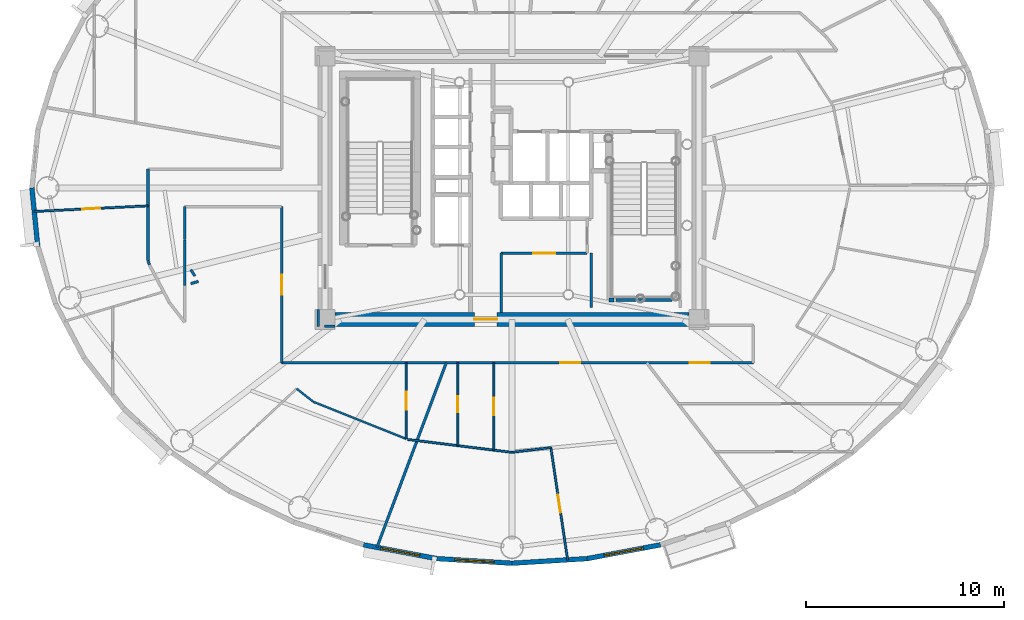
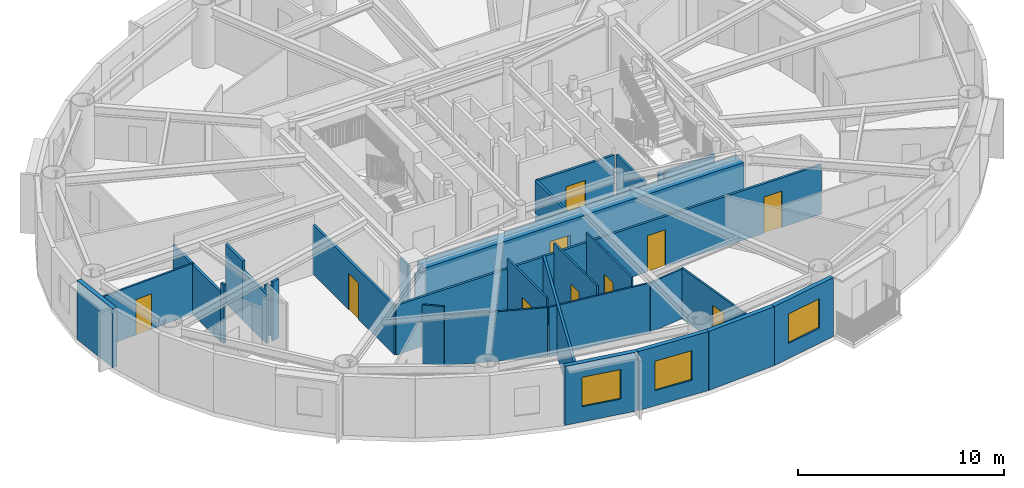
# One storey, part 6 of 18: 31 walls, 10 doors, 3 windows, 13 openings.
"""IFC4 building model written with IfcOpenShell, lengths in metres."""

from ifc_helpers import new_model, si_unit, direction, frame, frame_2d, origin, origin_2d, place, context, subcontext, project, spatial, rectangle, extrude, source, transform, mapped, material, layer, layer_set, type_object, element, fill, save


model = new_model("IFC4")

# Units and contexts
model_context = context("Model", 3, precision=1e-05, world=origin(), true_north=direction((0.0, 1.0)))
body_context = subcontext(model_context, "Body", "Model", "MODEL_VIEW")
ifc_project = project(units=[si_unit("LENGTHUNIT", "METRE"), si_unit("AREAUNIT", "SQUARE_METRE"), si_unit("VOLUMEUNIT", "CUBIC_METRE"), si_unit("PLANEANGLEUNIT", "RADIAN"), si_unit("MASSUNIT", "GRAM", prefix="KILO")], contexts=[model_context])

# Site, building, storey
site_placement = place(None, origin())
site = spatial("IfcSite", under=ifc_project, at=site_placement, CompositionType="ELEMENT")
building_placement = place(site_placement, origin())
building = spatial("IfcBuilding", under=site, at=building_placement, Name="Linh Dai School and Residence Tower", CompositionType="ELEMENT")
storey_placement = place(building_placement, frame((0.0, 0.0, 225.300048828125)))
storey = spatial("IfcBuildingStorey", under=building, at=storey_placement, Name="L55", CompositionType="ELEMENT", Elevation=225.300048828125)

# Wall
ifc_material_1 = material(Name="Precast Concrete B45 (C35/45)", Category="concrete")
ifc_layer_1 = layer(ifc_material_1, 0.239990234375)
ifc_layer_set_1 = layer_set([ifc_layer_1], Name="Precast Concrete B45 (C35/45)")
wall_type_1 = type_object("IfcWallType", Name="EW-TC-240", PredefinedType="SOLIDWALL", material=ifc_layer_set_1)
wall_1_placement = place(storey_placement, frame((12.02294921875, 24.0361328125, 0.0), z_axis=(0.0, 0.0, 1.0), x_axis=(-0.099990595253, 0.994988382274, 0.0)))
element("IfcWall", 1, at=wall_1_placement, inside=storey, type_object=wall_type_1, Name="L55 Terracotta Exterior Wall 21", PredefinedType="SOLIDWALL", context=body_context, shape_type="SweptSolid", body=[
    extrude(rectangle(XDim=2.978759765625, YDim=0.239990234375, at=frame_2d((1.4892578125, 0.0))), origin(), (0.0, 0.0, 1.0), 3.5),
])

# Wall, opening, window
wall_2_placement = place(storey_placement, frame((32.198486328125, 8.254150390625, 0.0), z_axis=(0.0, 0.0, 1.0), x_axis=(-0.982784898575, 0.184753465822, 0.0)))
wall_2 = element("IfcWall", 2, at=wall_2_placement, inside=storey, type_object=wall_type_1, Name="L55 Terracotta Exterior Wall 29", PredefinedType="SOLIDWALL", context=body_context, shape_type="SweptSolid", body=[
    extrude(rectangle(XDim=3.772705078125, YDim=0.239990234375, at=frame_2d((1.88623046875, 0.0))), origin(), (0.0, 0.0, 1.0), 3.5),
])
opening_1_placement = place(wall_2_placement, frame((0.88623046875, 0.0, 0.89990234375)))
opening_1 = element("IfcOpeningElement", 3, at=opening_1_placement, cuts=wall_2, Name="Opening W1", PredefinedType="OPENING", context=body_context, shape_type="SweptSolid", body=[
    extrude(rectangle(XDim=2.0, YDim=1.75, at=origin_2d()), frame((1.0, 0.1298828125, 0.875), z_axis=(0.0, -1.0, 0.0), x_axis=(1.0, 0.0, 0.0)), (0.0, 0.0, 1.0), 0.260009765625),
])
ifc_material_2 = material(Name="Double Low-E Insulated Glazing", Category="glass")
window_type = type_object("IfcWindowType", Name="WN-RES-2000x1750", PartitioningType="DOUBLE_PANEL_VERTICAL", PredefinedType="WINDOW", material=ifc_material_2)
shared_shape_1 = source(origin(), body_context, "Body", "SweptSolid", [
    extrude(rectangle(XDim=2.0, YDim=1.75, at=origin_2d()), frame((1.0, 0.030029296875, 0.875), z_axis=(0.0, -1.0, 0.0), x_axis=(1.0, 0.0, 0.0)), (0.0, 0.0, 1.0), 0.06005859375),
])
window_1_placement = place(opening_1_placement, origin())
window_1 = element("IfcWindow", 4, at=window_1_placement, inside=storey, type_object=window_type, Name="L55 Exterior Window 29.1", OverallHeight=1.75, OverallWidth=2.0, PartitioningType="DOUBLE_PANEL_VERTICAL", PredefinedType="WINDOW", context=body_context, shape_type="MappedRepresentation", body=[
    mapped(shared_shape_1, transform((0.0, 0.0, 0.0), x_axis=(1.0, 0.0, 0.0), y_axis=(0.0, 1.0, 0.0), z_axis=(0.0, 0.0, 1.0), scale=1.0)),
])
fill(opening_1, window_1)

wall_3_placement = place(storey_placement, frame((36.0, 8.02001953125, 0.0), z_axis=(0.0, 0.0, 1.0), x_axis=(-0.998108785312, 0.06147237333, 0.0)))
wall_3 = element("IfcWall", 5, at=wall_3_placement, inside=storey, type_object=wall_type_1, Name="L55 Terracotta Exterior Wall 30", PredefinedType="SOLIDWALL", context=body_context, shape_type="SweptSolid", body=[
    extrude(rectangle(XDim=3.808837890625, YDim=0.239990234375, at=frame_2d((1.904296875, 0.0))), origin(), (0.0, 0.0, 1.0), 3.5),
])
opening_2_placement = place(wall_3_placement, frame((0.904296875, 0.0, 0.89990234375)))
opening_2 = element("IfcOpeningElement", 6, at=opening_2_placement, cuts=wall_3, Name="Opening W1", PredefinedType="OPENING", context=body_context, shape_type="SweptSolid", body=[
    extrude(rectangle(XDim=2.0, YDim=1.75, at=origin_2d()), frame((1.0, 0.1298828125, 0.875), z_axis=(0.0, -1.0, 0.0), x_axis=(1.0, 0.0, 0.0)), (0.0, 0.0, 1.0), 0.260009765625),
])
window_2_placement = place(opening_2_placement, origin())
window_2 = element("IfcWindow", 7, at=window_2_placement, inside=storey, type_object=window_type, Name="L55 Exterior Window 30.1", OverallHeight=1.75, OverallWidth=2.0, PartitioningType="DOUBLE_PANEL_VERTICAL", PredefinedType="WINDOW", context=body_context, shape_type="MappedRepresentation", body=[
    mapped(shared_shape_1, transform((0.0, 0.0, 0.0), x_axis=(1.0, 0.0, 0.0), y_axis=(0.0, 1.0, 0.0), z_axis=(0.0, 0.0, 1.0), scale=1.0)),
])
fill(opening_2, window_2)

# Wall
wall_4_placement = place(storey_placement, frame((39.801513671875, 8.254150390625, 0.0), z_axis=(0.0, 0.0, 1.0), x_axis=(-0.998108785312, -0.06147237333, 0.0)))
element("IfcWall", 8, at=wall_4_placement, inside=storey, type_object=wall_type_1, Name="L55 Terracotta Exterior Wall 31", PredefinedType="SOLIDWALL", context=body_context, shape_type="SweptSolid", body=[
    extrude(rectangle(XDim=3.808837890625, YDim=0.239990234375, at=frame_2d((1.904296875, 0.0))), origin(), (0.0, 0.0, 1.0), 3.5),
])

# Wall, opening, window
wall_5_placement = place(storey_placement, frame((43.50927734375, 8.951171875, 0.0), z_axis=(0.0, 0.0, 1.0), x_axis=(-0.982784898575, -0.184753465822, 0.0)))
wall_5 = element("IfcWall", 9, at=wall_5_placement, inside=storey, type_object=wall_type_1, Name="L55 Terracotta Exterior Wall 32", PredefinedType="SOLIDWALL", context=body_context, shape_type="SweptSolid", body=[
    extrude(rectangle(XDim=3.772705078125, YDim=0.239990234375, at=frame_2d((1.88623046875, 0.0))), origin(), (0.0, 0.0, 1.0), 3.5),
])
opening_3_placement = place(wall_5_placement, frame((0.88623046875, 0.0, 0.89990234375)))
opening_3 = element("IfcOpeningElement", 10, at=opening_3_placement, cuts=wall_5, Name="Opening W1", PredefinedType="OPENING", context=body_context, shape_type="SweptSolid", body=[
    extrude(rectangle(XDim=2.0, YDim=1.75, at=origin_2d()), frame((1.0, 0.1298828125, 0.875), z_axis=(0.0, -1.0, 0.0), x_axis=(1.0, 0.0, 0.0)), (0.0, 0.0, 1.0), 0.260009765625),
])
window_3_placement = place(opening_3_placement, origin())
window_3 = element("IfcWindow", 11, at=window_3_placement, inside=storey, type_object=window_type, Name="L55 Exterior Window 32.1", OverallHeight=1.75, OverallWidth=2.0, PartitioningType="DOUBLE_PANEL_VERTICAL", PredefinedType="WINDOW", context=body_context, shape_type="MappedRepresentation", body=[
    mapped(shared_shape_1, transform((0.0, 0.0, 0.0), x_axis=(1.0, 0.0, 0.0), y_axis=(0.0, 1.0, 0.0), z_axis=(0.0, 0.0, 1.0), scale=1.0)),
])
fill(opening_3, window_3)

# Walls
ifc_material_3 = material(Name="Autoclaved Aerated Concrete Blockwork", Category="masonry")
ifc_layer_2 = layer(ifc_material_3, 0.135009765625)
ifc_layer_set_2 = layer_set([ifc_layer_2], Name="Autoclaved Aerated Concrete Blockwork")
wall_type_2 = type_object("IfcWallType", Name="IW-CORR-135-EI90", PredefinedType="PARTITIONING", material=ifc_layer_set_2)
wall_6_placement = place(storey_placement, frame((17.60009765625, 23.327880859375, 0.0), z_axis=(0.0, 0.0, 1.0), x_axis=(0.0, 1.0, 0.0)))
element("IfcWall", 12, at=wall_6_placement, inside=storey, type_object=wall_type_2, Name="L55 Interior Partition Wall 007", PredefinedType="PARTITIONING", context=body_context, shape_type="SweptSolid", body=[
    extrude(rectangle(XDim=4.6220703125, YDim=0.135009765625, at=frame_2d((2.31103515625, 0.0))), origin(), (0.0, 0.0, 1.0), 2.93505859375),
])
wall_7_placement = place(storey_placement, frame((17.60009765625, 23.327880859375, 0.0), z_axis=(0.0, 0.0, 1.0), x_axis=(0.292875000845, -0.956150738053, 0.0)))
element("IfcWall", 13, at=wall_7_placement, inside=storey, type_object=wall_type_2, Name="L55 Interior Partition Wall 008", PredefinedType="PARTITIONING", context=body_context, shape_type="SweptSolid", body=[
    extrude(rectangle(XDim=0.226806640625, YDim=0.135009765625, at=frame_2d((0.11328125, 0.0))), origin(), (0.0, 0.0, 1.0), 3.5),
])
wall_8_placement = place(storey_placement, frame((19.449951171875, 24.3798828125, 0.0), z_axis=(0.0, 0.0, 1.0), x_axis=(0.0, 1.0, 0.0)))
element("IfcWall", 14, at=wall_8_placement, inside=storey, type_object=wall_type_2, Name="L55 Interior Partition Wall 014", PredefinedType="PARTITIONING", context=body_context, shape_type="SweptSolid", body=[
    extrude(rectangle(XDim=1.670166015625, YDim=0.135009765625, at=frame_2d((0.8349609375, 0.0))), origin(), (0.0, 0.0, 1.0), 3.5),
])

# Wall, opening, door
wall_9_placement = place(storey_placement, frame((24.35009765625, 18.14990234375, 0.0), z_axis=(0.0, 0.0, 1.0), x_axis=(0.0, 1.0, 0.0)))
wall_9 = element("IfcWall", 15, at=wall_9_placement, inside=storey, type_object=wall_type_2, Name="L55 Interior Partition Wall 018", PredefinedType="PARTITIONING", context=body_context, shape_type="SweptSolid", body=[
    extrude(rectangle(XDim=7.900146484375, YDim=0.135009765625, at=frame_2d((3.9501953125, 0.0))), origin(), (0.0, 0.0, 1.0), 2.93505859375),
])
opening_4_placement = place(wall_9_placement, frame((3.449951171875, 0.0, 0.0)))
opening_4 = element("IfcOpeningElement", 16, at=opening_4_placement, cuts=wall_9, Name="Opening D03", PredefinedType="OPENING", context=body_context, shape_type="SweptSolid", body=[
    extrude(rectangle(XDim=1.0, YDim=2.14990234375, at=origin_2d()), frame((0.5, 0.07763671875, 1.074951171875), z_axis=(0.0, -1.0, 0.0), x_axis=(1.0, 0.0, 0.0)), (0.0, 0.0, 1.0), 0.155029296875),
])
ifc_material_4 = material(Name="Fire-Rated Solid Timber Entrance Door", Category="wood")
door_type_1 = type_object("IfcDoorType", Name="DR-FLAT-1000x2150-FD60S", OperationType="NOTDEFINED", PredefinedType="DOOR", material=ifc_material_4)
shared_shape_2 = source(origin(), body_context, "Body", "SweptSolid", [
    extrude(rectangle(XDim=1.0, YDim=2.14990234375, at=origin_2d()), frame((0.5, 0.02490234375, 1.074951171875), z_axis=(0.0, -1.0, 0.0), x_axis=(1.0, 0.0, 0.0)), (0.0, 0.0, 1.0), 0.050048828125),
])
door_1_placement = place(opening_4_placement, origin())
door_1 = element("IfcDoor", 17, at=door_1_placement, inside=storey, type_object=door_type_1, Name="L55 U5502 Apartment Entrance Door", OperationType="SINGLE_SWING_RIGHT", OverallHeight=2.14990234375, OverallWidth=1.0, PredefinedType="DOOR", context=body_context, shape_type="MappedRepresentation", body=[
    mapped(shared_shape_2, transform((0.0, 0.0, 0.0), x_axis=(1.0, 0.0, 0.0), y_axis=(0.0, 1.0, 0.0), z_axis=(0.0, 0.0, 1.0), scale=1.0)),
])
fill(opening_4, door_1)

# Wall, openings, doors
wall_10_placement = place(storey_placement, frame((24.35009765625, 18.14990234375, 0.0), z_axis=(0.0, 0.0, 1.0), x_axis=(1.0, 0.0, 0.0)))
wall_10 = element("IfcWall", 18, at=wall_10_placement, inside=storey, type_object=wall_type_2, Name="L55 Interior Partition Wall 019", PredefinedType="PARTITIONING", context=body_context, shape_type="SweptSolid", body=[
    extrude(rectangle(XDim=23.849853515625, YDim=0.135009765625, at=frame_2d((11.9248046875, 0.0))), origin(), (0.0, 0.0, 1.0), 2.93505859375),
])
opening_5_placement = place(wall_10_placement, frame((14.09912109375, 0.0, 0.0)))
opening_5 = element("IfcOpeningElement", 19, at=opening_5_placement, cuts=wall_10, Name="Opening D03", PredefinedType="OPENING", context=body_context, shape_type="SweptSolid", body=[
    extrude(rectangle(XDim=1.0, YDim=2.14990234375, at=origin_2d()), frame((0.5, 0.07763671875, 1.074951171875), z_axis=(0.0, -1.0, 0.0), x_axis=(1.0, 0.0, 0.0)), (0.0, 0.0, 1.0), 0.155029296875),
])
opening_6_placement = place(wall_10_placement, frame((20.638427734375, 0.0, 0.0)))
opening_6 = element("IfcOpeningElement", 20, at=opening_6_placement, cuts=wall_10, Name="Opening D03", PredefinedType="OPENING", context=body_context, shape_type="SweptSolid", body=[
    extrude(rectangle(XDim=1.0, YDim=2.14990234375, at=origin_2d()), frame((0.5, 0.07763671875, 1.074951171875), z_axis=(0.0, -1.0, 0.0), x_axis=(1.0, 0.0, 0.0)), (0.0, 0.0, 1.0), 0.155029296875),
])
door_2_placement = place(opening_5_placement, origin())
door_2 = element("IfcDoor", 21, at=door_2_placement, inside=storey, type_object=door_type_1, Name="L55 U5503 Apartment Entrance Door", OperationType="SINGLE_SWING_RIGHT", OverallHeight=2.14990234375, OverallWidth=1.0, PredefinedType="DOOR", context=body_context, shape_type="MappedRepresentation", body=[
    mapped(shared_shape_2, transform((0.0, 0.0, 0.0), x_axis=(1.0, 0.0, 0.0), y_axis=(0.0, 1.0, 0.0), z_axis=(0.0, 0.0, 1.0), scale=1.0)),
])
fill(opening_5, door_2)
door_3_placement = place(opening_6_placement, origin())
door_3 = element("IfcDoor", 22, at=door_3_placement, inside=storey, type_object=door_type_1, Name="L55 U5504 Apartment Entrance Door", OperationType="SINGLE_SWING_RIGHT", OverallHeight=2.14990234375, OverallWidth=1.0, PredefinedType="DOOR", context=body_context, shape_type="MappedRepresentation", body=[
    mapped(shared_shape_2, transform((0.0, 0.0, 0.0), x_axis=(1.0, 0.0, 0.0), y_axis=(0.0, 1.0, 0.0), z_axis=(0.0, 0.0, 1.0), scale=1.0)),
])
fill(opening_6, door_3)

# Walls
wall_11_placement = place(storey_placement, frame((29.16943359375, 8.818603515625, 0.0), z_axis=(0.0, 0.0, 1.0), x_axis=(0.351676288836, 0.936121673646, 0.0)))
element("IfcWall", 23, at=wall_11_placement, inside=storey, type_object=wall_type_2, Name="L55 Interior Partition Wall 027", PredefinedType="PARTITIONING", context=body_context, shape_type="SweptSolid", body=[
    extrude(rectangle(XDim=9.96826171875, YDim=0.135009765625, at=frame_2d((4.984130859375, 0.0))), origin(), (0.0, 0.0, 1.0), 2.98486328125),
])
wall_12_placement = place(storey_placement, frame((35.449951171875, 20.699951171875, 0.0), z_axis=(0.0, 0.0, 1.0), x_axis=(0.0, 1.0, 0.0)))
element("IfcWall", 24, at=wall_12_placement, inside=storey, type_object=wall_type_2, Name="L55 Interior Partition Wall 048", PredefinedType="PARTITIONING", context=body_context, shape_type="SweptSolid", body=[
    extrude(rectangle(XDim=3.0, YDim=0.135009765625, at=frame_2d((1.5, 0.0))), origin(), (0.0, 0.0, 1.0), 3.0849609375),
])

# Wall, opening, door
wall_13_placement = place(storey_placement, frame((35.449951171875, 23.699951171875, 0.0), z_axis=(0.0, 0.0, 1.0), x_axis=(1.0, 0.0, 0.0)))
wall_13 = element("IfcWall", 25, at=wall_13_placement, inside=storey, type_object=wall_type_2, Name="L55 Interior Partition Wall 049", PredefinedType="PARTITIONING", context=body_context, shape_type="SweptSolid", body=[
    extrude(rectangle(XDim=4.35009765625, YDim=0.135009765625, at=frame_2d((2.175048828125, 0.0))), origin(), (0.0, 0.0, 1.0), 3.0849609375),
])
opening_7_placement = place(wall_13_placement, frame((1.625, 0.0, 0.0)))
opening_7 = element("IfcOpeningElement", 26, at=opening_7_placement, cuts=wall_13, Name="Opening D07", PredefinedType="OPENING", context=body_context, shape_type="SweptSolid", body=[
    extrude(rectangle(XDim=1.10009765625, YDim=2.14990234375, at=origin_2d()), frame((0.550048828125, 0.07763671875, 1.074951171875), z_axis=(0.0, -1.0, 0.0), x_axis=(1.0, 0.0, 0.0)), (0.0, 0.0, 1.0), 0.155029296875),
])
ifc_material_5 = material(Name="Fire-Rated Louvred Steel Plant Door", Category="steel")
door_type_2 = type_object("IfcDoorType", Name="DR-PLT-1100x2150-FD60S", OperationType="NOTDEFINED", PredefinedType="DOOR", material=ifc_material_5)
shared_shape_3 = source(origin(), body_context, "Body", "SweptSolid", [
    extrude(rectangle(XDim=1.10009765625, YDim=2.14990234375, at=origin_2d()), frame((0.550048828125, 0.02490234375, 1.074951171875), z_axis=(0.0, -1.0, 0.0), x_axis=(1.0, 0.0, 0.0)), (0.0, 0.0, 1.0), 0.050048828125),
])
door_4_placement = place(opening_7_placement, origin())
door_4 = element("IfcDoor", 27, at=door_4_placement, inside=storey, type_object=door_type_2, Name="L55 Tenant Metering and BMS Room Door", OperationType="SINGLE_SWING_RIGHT", OverallHeight=2.14990234375, OverallWidth=1.10009765625, PredefinedType="DOOR", context=body_context, shape_type="MappedRepresentation", body=[
    mapped(shared_shape_3, transform((0.0, 0.0, 0.0), x_axis=(1.0, 0.0, 0.0), y_axis=(0.0, 1.0, 0.0), z_axis=(0.0, 0.0, 1.0), scale=1.0)),
])
fill(opening_7, door_4)

# Walls
wall_14_placement = place(storey_placement, frame((44.080078125, 21.330078125, 0.0), z_axis=(0.0, 0.0, 1.0), x_axis=(-1.0, 0.0, 0.0)))
element("IfcWall", 28, at=wall_14_placement, inside=storey, type_object=wall_type_2, Name="L55 Interior Partition Wall 090", PredefinedType="PARTITIONING", context=body_context, shape_type="SweptSolid", body=[
    extrude(rectangle(XDim=2.820068359375, YDim=0.135009765625, at=frame_2d((1.41015625, 0.0))), origin(), (0.0, 0.0, 1.0), 3.034912109375),
])
wall_15_placement = place(storey_placement, frame((40.0, 23.699951171875, 0.0), z_axis=(0.0, 0.0, 1.0), x_axis=(0.0, -1.0, 0.0)))
element("IfcWall", 29, at=wall_15_placement, inside=storey, type_object=wall_type_2, Name="L55 Interior Partition Wall 092", PredefinedType="PARTITIONING", context=body_context, shape_type="SweptSolid", body=[
    extrude(rectangle(XDim=2.739990234375, YDim=0.135009765625, at=frame_2d((1.3701171875, 0.0))), origin(), (0.0, 0.0, 1.0), 3.034912109375),
])
wall_16_placement = place(storey_placement, frame((19.449951171875, 24.369873046875, 0.0), z_axis=(0.0, 0.0, 1.0), x_axis=(0.0, -1.0, 0.0)))
element("IfcWall", 30, at=wall_16_placement, inside=storey, type_object=wall_type_2, Name="L55 Interior Partition Wall 096", PredefinedType="PARTITIONING", context=body_context, shape_type="SweptSolid", body=[
    extrude(rectangle(XDim=2.2939453125, YDim=0.135009765625, at=frame_2d((1.14697265625, 0.0))), origin(), (0.0, 0.0, 1.0), 2.93505859375),
])
wall_17_placement = place(storey_placement, frame((26.199951171875, 20.840087890625, 0.0), z_axis=(0.0, 0.0, 1.0), x_axis=(0.0, -1.0, 0.0)))
element("IfcWall", 31, at=wall_17_placement, inside=storey, type_object=wall_type_2, Name="L55 Interior Partition Wall 101", PredefinedType="PARTITIONING", context=body_context, shape_type="SweptSolid", body=[
    extrude(rectangle(XDim=0.840087890625, YDim=0.135009765625, at=frame_2d((0.419921875, 0.0))), origin(), (0.0, 0.0, 1.0), 3.5),
])
wall_18_placement = place(storey_placement, frame((26.507568359375, 20.0, 0.0), z_axis=(0.0, 0.0, 1.0), x_axis=(1.0, 0.0, 0.0)))
element("IfcWall", 32, at=wall_18_placement, inside=storey, type_object=wall_type_2, Name="L55 Interior Partition Wall 102", PredefinedType="PARTITIONING", context=body_context, shape_type="SweptSolid", body=[
    extrude(rectangle(XDim=0.532470703125, YDim=0.135009765625, at=frame_2d((0.26611328125, 0.0))), origin(), (0.0, 0.0, 1.0), 2.93505859375),
])
wall_19_placement = place(storey_placement, frame((19.757568359375, 22.157470703125, 0.0), z_axis=(0.0, 0.0, 1.0), x_axis=(0.95827609565, 0.285844231191, 0.0)))
element("IfcWall", 33, at=wall_19_placement, inside=storey, type_object=wall_type_2, Name="L55 Interior Partition Wall 104", PredefinedType="PARTITIONING", context=body_context, shape_type="SweptSolid", body=[
    extrude(rectangle(XDim=0.40234375, YDim=0.135009765625, at=frame_2d((0.201171875, 0.0))), origin(), (0.0, 0.0, 1.0), 3.5),
])
wall_20_placement = place(storey_placement, frame((19.96826171875, 22.541259765625, 0.0), z_axis=(0.0, 0.0, 1.0), x_axis=(-0.545477029726, 0.838125772209, 0.0)))
element("IfcWall", 34, at=wall_20_placement, inside=storey, type_object=wall_type_2, Name="L55 Interior Partition Wall 105", PredefinedType="PARTITIONING", context=body_context, shape_type="SweptSolid", body=[
    extrude(rectangle(XDim=0.38623046875, YDim=0.135009765625, at=frame_2d((0.193115234375, 0.0))), origin(), (0.0, 0.0, 1.0), 2.93505859375),
])
ifc_material_6 = material(Name="Concrete B45 (C35/45)", Category="concrete")
ifc_layer_3 = layer(ifc_material_6, 0.199951171875)
ifc_layer_set_3 = layer_set([ifc_layer_3], Name="Concrete B45 (C35/45)")
wall_type_3 = type_object("IfcWallType", Name="IW-SHAFT-200-EI120", PredefinedType="PARTITIONING", material=ifc_layer_set_3)
wall_21_placement = place(storey_placement, frame((40.89990234375, 21.330078125, 0.0), z_axis=(0.0, 0.0, 1.0), x_axis=(1.0, 0.0, 0.0)))
element("IfcWall", 35, at=wall_21_placement, inside=storey, type_object=wall_type_3, Name="L55 Interior Partition Wall 065", PredefinedType="PARTITIONING", context=body_context, shape_type="SweptSolid", body=[
    extrude(rectangle(XDim=0.25, YDim=0.199951171875, at=frame_2d((0.125, 0.0))), origin(), (0.0, 0.0, 1.0), 3.034912109375),
])

# Wall, opening, door
ifc_material_7 = material(Name="Gypsum Plasterboard Acoustic Stud Partition", Category="masonry")
ifc_layer_4 = layer(ifc_material_7, 0.10009765625)
ifc_layer_set_4 = layer_set([ifc_layer_4], Name="Gypsum Plasterboard Acoustic Stud Partition")
wall_type_4 = type_object("IfcWallType", Name="IW-UNIT-100", PredefinedType="PARTITIONING", material=ifc_layer_set_4)
wall_22_placement = place(storey_placement, frame((11.83984375, 25.806640625, 0.0), z_axis=(0.0, 0.0, 1.0), x_axis=(0.99878109644, 0.049359106487, 0.0)))
wall_22 = element("IfcWall", 36, at=wall_22_placement, inside=storey, type_object=wall_type_4, Name="L55 Interior Partition Wall 001", PredefinedType="PARTITIONING", context=body_context, shape_type="SweptSolid", body=[
    extrude(rectangle(XDim=5.767333984375, YDim=0.10009765625, at=frame_2d((2.8837890625, 0.0))), origin(), (0.0, 0.0, 1.0), 2.98486328125),
])
opening_8_placement = place(wall_22_placement, frame((2.43359375, 0.0, 0.0)))
opening_8 = element("IfcOpeningElement", 37, at=opening_8_placement, cuts=wall_22, Name="Opening D05", PredefinedType="OPENING", context=body_context, shape_type="SweptSolid", body=[
    extrude(rectangle(XDim=0.89990234375, YDim=2.10009765625, at=origin_2d()), frame((0.449951171875, 0.06005859375, 1.050048828125), z_axis=(0.0, -1.0, 0.0), x_axis=(1.0, 0.0, 0.0)), (0.0, 0.0, 1.0), 0.1201171875),
])
ifc_material_8 = material(Name="Engineered Timber Internal Door", Category="wood")
door_type_3 = type_object("IfcDoorType", Name="DR-INT-900x2100", OperationType="NOTDEFINED", PredefinedType="DOOR", material=ifc_material_8)
shared_shape_4 = source(origin(), body_context, "Body", "SweptSolid", [
    extrude(rectangle(XDim=0.89990234375, YDim=2.10009765625, at=origin_2d()), frame((0.449951171875, 0.02490234375, 1.050048828125), z_axis=(0.0, -1.0, 0.0), x_axis=(1.0, 0.0, 0.0)), (0.0, 0.0, 1.0), 0.050048828125),
])
door_5_placement = place(opening_8_placement, origin())
door_5 = element("IfcDoor", 38, at=door_5_placement, inside=storey, type_object=door_type_3, Name="L55 Apartment U5502 Principal Bedroom 1 Door", OperationType="SINGLE_SWING_LEFT", OverallHeight=2.10009765625, OverallWidth=0.89990234375, PredefinedType="DOOR", context=body_context, shape_type="MappedRepresentation", body=[
    mapped(shared_shape_4, transform((0.0, 0.0, 0.0), x_axis=(1.0, 0.0, 0.0), y_axis=(0.0, 1.0, 0.0), z_axis=(0.0, 0.0, 1.0), scale=1.0)),
])
fill(opening_8, door_5)

# Walls
wall_23_placement = place(storey_placement, frame((25.112060546875, 16.844970703125, 0.0), z_axis=(0.0, 0.0, 1.0), x_axis=(0.787433290794, -0.616399880394, 0.0)))
element("IfcWall", 39, at=wall_23_placement, inside=storey, type_object=wall_type_4, Name="L55 Interior Partition Wall 022", PredefinedType="PARTITIONING", context=body_context, shape_type="SweptSolid", body=[
    extrude(rectangle(XDim=1.07763671875, YDim=0.10009765625, at=frame_2d((0.538818359375, 0.0))), origin(), (0.0, 0.0, 1.0), 3.5),
])
wall_24_placement = place(storey_placement, frame((25.960693359375, 16.1806640625, 0.0), z_axis=(0.0, 0.0, 1.0), x_axis=(0.928803127631, -0.370573542098, 0.0)))
element("IfcWall", 40, at=wall_24_placement, inside=storey, type_object=wall_type_4, Name="L55 Interior Partition Wall 023", PredefinedType="PARTITIONING", context=body_context, shape_type="SweptSolid", body=[
    extrude(rectangle(XDim=5.049072265625, YDim=0.10009765625, at=frame_2d((2.5244140625, 0.0))), origin(), (0.0, 0.0, 1.0), 2.93505859375),
])

# Wall, opening, door
wall_25_placement = place(storey_placement, frame((30.650390625, 14.3095703125, 0.0), z_axis=(0.0, 0.0, 1.0), x_axis=(0.0, 1.0, 0.0)))
wall_25 = element("IfcWall", 41, at=wall_25_placement, inside=storey, type_object=wall_type_4, Name="L55 Interior Partition Wall 029", PredefinedType="PARTITIONING", context=body_context, shape_type="SweptSolid", body=[
    extrude(rectangle(XDim=3.84033203125, YDim=0.10009765625, at=frame_2d((1.920166015625, 0.0))), origin(), (0.0, 0.0, 1.0), 3.5),
])
opening_9_placement = place(wall_25_placement, frame((1.47021484375, 0.0, 0.0)))
opening_9 = element("IfcOpeningElement", 42, at=opening_9_placement, cuts=wall_25, Name="Opening D05", PredefinedType="OPENING", context=body_context, shape_type="SweptSolid", body=[
    extrude(rectangle(XDim=0.89990234375, YDim=2.10009765625, at=origin_2d()), frame((0.449951171875, 0.06005859375, 1.050048828125), z_axis=(0.0, -1.0, 0.0), x_axis=(1.0, 0.0, 0.0)), (0.0, 0.0, 1.0), 0.1201171875),
])
door_6_placement = place(opening_9_placement, origin())
door_6 = element("IfcDoor", 43, at=door_6_placement, inside=storey, type_object=door_type_3, Name="L55 Apartment U5502 Kitchen Door", OperationType="SINGLE_SWING_RIGHT", OverallHeight=2.10009765625, OverallWidth=0.89990234375, PredefinedType="DOOR", context=body_context, shape_type="MappedRepresentation", body=[
    mapped(shared_shape_4, transform((0.0, 0.0, 0.0), x_axis=(1.0, 0.0, 0.0), y_axis=(0.0, 1.0, 0.0), z_axis=(0.0, 0.0, 1.0), scale=1.0)),
])
fill(opening_9, door_6)

# Wall
wall_26_placement = place(storey_placement, frame((30.721923828125, 14.281005859375, 0.0), z_axis=(0.0, 0.0, 1.0), x_axis=(0.992398169186, -0.123068573551, 0.0)))
element("IfcWall", 44, at=wall_26_placement, inside=storey, type_object=wall_type_4, Name="L55 Interior Partition Wall 030", PredefinedType="PARTITIONING", context=body_context, shape_type="SweptSolid", body=[
    extrude(rectangle(XDim=5.318603515625, YDim=0.10009765625, at=frame_2d((2.6591796875, 0.0))), origin(), (0.0, 0.0, 1.0), 2.93505859375),
])

# Wall, opening, door
wall_27_placement = place(storey_placement, frame((33.264404296875, 13.9658203125, 0.0), z_axis=(0.0, 0.0, 1.0), x_axis=(0.0, 1.0, 0.0)))
wall_27 = element("IfcWall", 45, at=wall_27_placement, inside=storey, type_object=wall_type_4, Name="L55 Interior Partition Wall 039", PredefinedType="PARTITIONING", context=body_context, shape_type="SweptSolid", body=[
    extrude(rectangle(XDim=4.18408203125, YDim=0.10009765625, at=frame_2d((2.092041015625, 0.0))), origin(), (0.0, 0.0, 1.0), 3.5),
])
opening_10_placement = place(wall_27_placement, frame((1.68212890625, 0.0, 0.0)))
opening_10 = element("IfcOpeningElement", 46, at=opening_10_placement, cuts=wall_27, Name="Opening D06", PredefinedType="OPENING", context=body_context, shape_type="SweptSolid", body=[
    extrude(rectangle(XDim=0.820068359375, YDim=2.10009765625, at=origin_2d()), frame((0.41015625, 0.06005859375, 1.050048828125), z_axis=(0.0, -1.0, 0.0), x_axis=(1.0, 0.0, 0.0)), (0.0, 0.0, 1.0), 0.1201171875),
])
ifc_material_9 = material(Name="Moisture-Resistant Timber Bathroom Door", Category="wood")
door_type_4 = type_object("IfcDoorType", Name="DR-WET-820x2100", OperationType="NOTDEFINED", PredefinedType="DOOR", material=ifc_material_9)
shared_shape_5 = source(origin(), body_context, "Body", "SweptSolid", [
    extrude(rectangle(XDim=0.820068359375, YDim=2.10009765625, at=origin_2d()), frame((0.41015625, 0.02490234375, 1.050048828125), z_axis=(0.0, -1.0, 0.0), x_axis=(1.0, 0.0, 0.0)), (0.0, 0.0, 1.0), 0.050048828125),
])
door_7_placement = place(opening_10_placement, origin())
door_7 = element("IfcDoor", 47, at=door_7_placement, inside=storey, type_object=door_type_4, Name="L55 Apartment U5503 Bathroom 1 Door", OperationType="SINGLE_SWING_LEFT", OverallHeight=2.10009765625, OverallWidth=0.820068359375, PredefinedType="DOOR", context=body_context, shape_type="MappedRepresentation", body=[
    mapped(shared_shape_5, transform((0.0, 0.0, 0.0), x_axis=(1.0, 0.0, 0.0), y_axis=(0.0, 1.0, 0.0), z_axis=(0.0, 0.0, 1.0), scale=1.0)),
])
fill(opening_10, door_7)

wall_28_placement = place(storey_placement, frame((35.08154296875, 13.740478515625, 0.0), z_axis=(0.0, 0.0, 1.0), x_axis=(0.0, 1.0, 0.0)))
wall_28 = element("IfcWall", 48, at=wall_28_placement, inside=storey, type_object=wall_type_4, Name="L55 Interior Partition Wall 047", PredefinedType="PARTITIONING", context=body_context, shape_type="SweptSolid", body=[
    extrude(rectangle(XDim=4.409423828125, YDim=0.10009765625, at=frame_2d((2.20458984375, 0.0))), origin(), (0.0, 0.0, 1.0), 3.5),
])
opening_11_placement = place(wall_28_placement, frame((1.7548828125, 0.0, 0.0)))
opening_11 = element("IfcOpeningElement", 49, at=opening_11_placement, cuts=wall_28, Name="Opening D05", PredefinedType="OPENING", context=body_context, shape_type="SweptSolid", body=[
    extrude(rectangle(XDim=0.89990234375, YDim=2.10009765625, at=origin_2d()), frame((0.449951171875, 0.06005859375, 1.050048828125), z_axis=(0.0, -1.0, 0.0), x_axis=(1.0, 0.0, 0.0)), (0.0, 0.0, 1.0), 0.1201171875),
])
door_8_placement = place(opening_11_placement, origin())
door_8 = element("IfcDoor", 50, at=door_8_placement, inside=storey, type_object=door_type_3, Name="L55 Apartment U5503 Kitchen Door", OperationType="SINGLE_SWING_RIGHT", OverallHeight=2.10009765625, OverallWidth=0.89990234375, PredefinedType="DOOR", context=body_context, shape_type="MappedRepresentation", body=[
    mapped(shared_shape_4, transform((0.0, 0.0, 0.0), x_axis=(1.0, 0.0, 0.0), y_axis=(0.0, 1.0, 0.0), z_axis=(0.0, 0.0, 1.0), scale=1.0)),
])
fill(opening_11, door_8)

# Wall
wall_29_placement = place(storey_placement, frame((36.0, 13.62646484375, 0.0), z_axis=(0.0, 0.0, 1.0), x_axis=(0.992393208717, 0.123108567097, 0.0)))
element("IfcWall", 51, at=wall_29_placement, inside=storey, type_object=wall_type_4, Name="L55 Interior Partition Wall 054", PredefinedType="PARTITIONING", context=body_context, shape_type="SweptSolid", body=[
    extrude(rectangle(XDim=1.979248046875, YDim=0.10009765625, at=frame_2d((0.98974609375, 0.0))), origin(), (0.0, 0.0, 1.0), 2.93505859375),
])

# Wall, opening, door
wall_30_placement = place(storey_placement, frame((37.964111328125, 13.8701171875, 0.0), z_axis=(0.0, 0.0, 1.0), x_axis=(0.147933131181, -0.988997365365, 0.0)))
wall_30 = element("IfcWall", 52, at=wall_30_placement, inside=storey, type_object=wall_type_4, Name="L55 Interior Partition Wall 058", PredefinedType="PARTITIONING", context=body_context, shape_type="SweptSolid", body=[
    extrude(rectangle(XDim=5.744873046875, YDim=0.10009765625, at=frame_2d((2.87255859375, 0.0))), origin(), (0.0, 0.0, 1.0), 2.98486328125),
])
opening_12_placement = place(wall_30_placement, frame((2.42236328125, 0.0, 0.0)))
opening_12 = element("IfcOpeningElement", 53, at=opening_12_placement, cuts=wall_30, Name="Opening D05", PredefinedType="OPENING", context=body_context, shape_type="SweptSolid", body=[
    extrude(rectangle(XDim=0.89990234375, YDim=2.10009765625, at=origin_2d()), frame((0.449951171875, 0.06005859375, 1.050048828125), z_axis=(0.0, -1.0, 0.0), x_axis=(1.0, 0.0, 0.0)), (0.0, 0.0, 1.0), 0.1201171875),
])
door_9_placement = place(opening_12_placement, origin())
door_9 = element("IfcDoor", 54, at=door_9_placement, inside=storey, type_object=door_type_3, Name="L55 Apartment U5503 Principal Bedroom 1 Door", OperationType="SINGLE_SWING_LEFT", OverallHeight=2.10009765625, OverallWidth=0.89990234375, PredefinedType="DOOR", context=body_context, shape_type="MappedRepresentation", body=[
    mapped(shared_shape_4, transform((0.0, 0.0, 0.0), x_axis=(1.0, 0.0, 0.0), y_axis=(0.0, 1.0, 0.0), z_axis=(0.0, 0.0, 1.0), scale=1.0)),
])
fill(opening_12, door_9)

ifc_layer_5 = layer(ifc_material_6, 0.699951171875)
ifc_layer_set_5 = layer_set([ifc_layer_5], Name="Concrete B45 (C35/45)")
wall_type_5 = type_object("IfcWallType", Name="WL-CORE700", PredefinedType="SHEAR", material=ifc_layer_set_5)
wall_31_placement = place(storey_placement, frame((44.949951171875, 20.35009765625, 0.0), z_axis=(0.0, 0.0, 1.0), x_axis=(-1.0, 0.0, 0.0)))
wall_31 = element("IfcWall", 55, at=wall_31_placement, inside=storey, type_object=wall_type_5, Name="L55 Central Core Shear Wall S", PredefinedType="SHEAR", context=body_context, shape_type="SweptSolid", body=[
    extrude(rectangle(XDim=17.89990234375, YDim=0.699951171875, at=frame_2d((8.949951171875, 0.0))), origin(), (0.0, 0.0, 1.0), 3.050048828125),
])
opening_13_placement = place(wall_31_placement, frame((9.699951171875, 0.0, 0.0)))
opening_13 = element("IfcOpeningElement", 56, at=opening_13_placement, cuts=wall_31, Name="Opening D02", PredefinedType="OPENING", context=body_context, shape_type="SweptSolid", body=[
    extrude(rectangle(XDim=1.14990234375, YDim=2.14990234375, at=origin_2d()), frame((0.574951171875, 0.35986328125, 1.074951171875), z_axis=(0.0, -1.0, 0.0), x_axis=(1.0, 0.0, 0.0)), (0.0, 0.0, 1.0), 0.719970703125),
])
ifc_material_10 = material(Name="Fire-Rated Glazed Steel Lobby Door", Category="steel")
door_type_5 = type_object("IfcDoorType", Name="DR-LOBBY-1150x2150-FD90S", OperationType="NOTDEFINED", PredefinedType="DOOR", material=ifc_material_10)
shared_shape_6 = source(origin(), body_context, "Body", "SweptSolid", [
    extrude(rectangle(XDim=1.14990234375, YDim=2.14990234375, at=origin_2d()), frame((0.574951171875, 0.02490234375, 1.074951171875), z_axis=(0.0, -1.0, 0.0), x_axis=(1.0, 0.0, 0.0)), (0.0, 0.0, 1.0), 0.050048828125),
])
door_10_placement = place(opening_13_placement, origin())
door_10 = element("IfcDoor", 57, at=door_10_placement, inside=storey, type_object=door_type_5, Name="L55 Passenger Foyer Access Door", OperationType="SINGLE_SWING_LEFT", OverallHeight=2.14990234375, OverallWidth=1.14990234375, PredefinedType="DOOR", context=body_context, shape_type="MappedRepresentation", body=[
    mapped(shared_shape_6, transform((0.0, 0.0, 0.0), x_axis=(1.0, 0.0, 0.0), y_axis=(0.0, 1.0, 0.0), z_axis=(0.0, 0.0, 1.0), scale=1.0)),
])
fill(opening_13, door_10)

save(model, "model.ifc")
